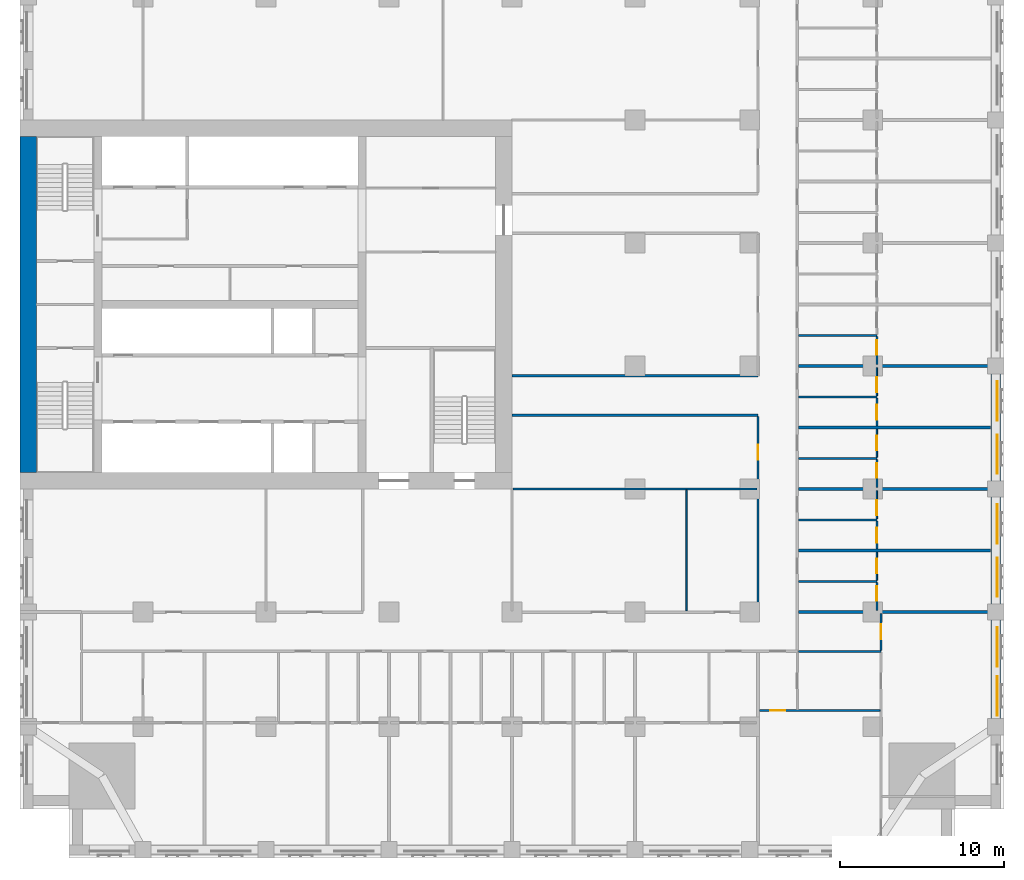
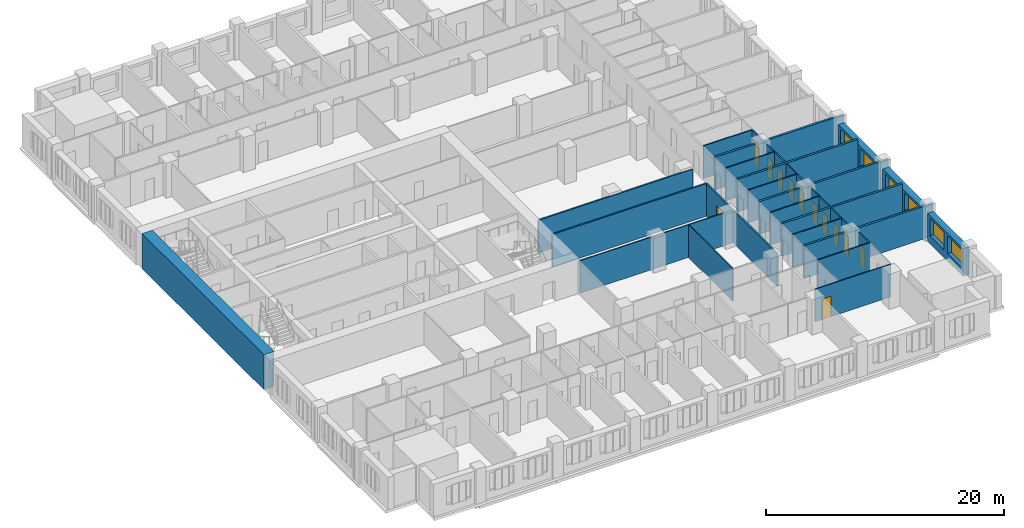
# One storey, part 7 of 15: 31 walls, 12 doors, 6 windows, 18 openings.
"""IFC4 building model written with IfcOpenShell, lengths in metres."""

from ifc_helpers import new_model, si_unit, direction, frame, frame_2d, origin, place, context, subcontext, project, spatial, rectangle, extrude, material, layer, layer_set, type_object, element, fill, save


model = new_model("IFC4")

# Units and contexts
model_context = context("Model", 3, precision=1e-05, world=origin(), true_north=direction((0.0, 1.0)))
body_context = subcontext(model_context, "Body", "Model", "MODEL_VIEW")
ifc_project = project(units=[si_unit("LENGTHUNIT", "METRE"), si_unit("AREAUNIT", "SQUARE_METRE"), si_unit("VOLUMEUNIT", "CUBIC_METRE"), si_unit("PLANEANGLEUNIT", "RADIAN"), si_unit("MASSUNIT", "GRAM", prefix="KILO")], contexts=[model_context])

# Site, building, storey
site_placement = place(None, origin())
site = spatial("IfcSite", under=ifc_project, at=site_placement, CompositionType="ELEMENT")
building_placement = place(site_placement, origin())
building = spatial("IfcBuilding", under=site, at=building_placement, Name="Tamorin Gate", CompositionType="ELEMENT")
storey_placement = place(building_placement, frame((0.0, 0.0, 48.39990234375)))
storey = spatial("IfcBuildingStorey", under=building, at=storey_placement, Name="L10", CompositionType="ELEMENT", Elevation=48.39990234375)

# Wall, openings, windows
ifc_material_1 = material(Name="Precast concrete C40/50", Category="concrete")
ifc_layer_1 = layer(ifc_material_1, 0.60009765625)
ifc_layer_set_1 = layer_set([ifc_layer_1], Name="Precast concrete C40/50")
wall_type_1 = type_object("IfcWallType", Name="Board-marked concrete facade panel 600", PredefinedType="SOLIDWALL", material=ifc_layer_set_1)
wall_1_placement = place(storey_placement, frame((89.5, 46.0, 0.0), z_axis=(0.0, 0.0, 1.0), x_axis=(0.0, 1.0, 0.0)))
wall_1 = element("IfcWall", 1, at=wall_1_placement, inside=storey, type_object=wall_type_1, Name="Facade panel", PredefinedType="SOLIDWALL", context=body_context, shape_type="SweptSolid", body=[
    extrude(rectangle(XDim=6.0, YDim=0.60009765625, at=frame_2d((3.0, 0.0))), origin(), (0.0, 0.0, 1.0), 2.85009765625),
])
opening_1_placement = place(wall_1_placement, frame((0.175048828125, 0.0, 0.800048828125)))
opening_1 = element("IfcOpeningElement", 2, at=opening_1_placement, cuts=wall_1, Name="Opening WN1", PredefinedType="OPENING", context=body_context, shape_type="SweptSolid", body=[
    extrude(rectangle(XDim=2.39990234375, YDim=1.800048828125, at=frame_2d((1.199951171875, 0.89990234375))), frame((0.0, 0.31005859375, 0.0), z_axis=(0.0, -1.0, 0.0), x_axis=(1.0, 0.0, 0.0)), (0.0, 0.0, 1.0), 0.6201171875),
])
opening_2_placement = place(wall_1_placement, frame((3.175048828125, 0.0, 0.800048828125)))
opening_2 = element("IfcOpeningElement", 3, at=opening_2_placement, cuts=wall_1, Name="Opening WN1", PredefinedType="OPENING", context=body_context, shape_type="SweptSolid", body=[
    extrude(rectangle(XDim=2.39990234375, YDim=1.800048828125, at=frame_2d((1.199951171875, 0.89990234375))), frame((0.0, 0.31005859375, 0.0), z_axis=(0.0, -1.0, 0.0), x_axis=(1.0, 0.0, 0.0)), (0.0, 0.0, 1.0), 0.6201171875),
])
ifc_material_2 = material(Name="Clear glass in aluminium frame", Category="aluminium")
window_type = type_object("IfcWindowType", Name="Deep-set window 2400x1800", PartitioningType="SINGLE_PANEL", PredefinedType="WINDOW", material=ifc_material_2)
window_1_placement = place(opening_1_placement, origin())
window_1 = element("IfcWindow", 4, at=window_1_placement, inside=storey, type_object=window_type, Name="Deep-set window", OverallHeight=1.800048828125, OverallWidth=2.39990234375, PartitioningType="SINGLE_PANEL", PredefinedType="WINDOW", context=body_context, shape_type="SweptSolid", body=[
    extrude(rectangle(XDim=2.39990234375, YDim=1.800048828125, at=frame_2d((1.199951171875, 0.89990234375))), frame((0.0, -0.070068359375, 0.0), z_axis=(0.0, -1.0, 0.0), x_axis=(1.0, 0.0, 0.0)), (0.0, 0.0, 1.0), 0.06005859375),
])
fill(opening_1, window_1)
window_2_placement = place(opening_2_placement, origin())
window_2 = element("IfcWindow", 5, at=window_2_placement, inside=storey, type_object=window_type, Name="Deep-set window", OverallHeight=1.800048828125, OverallWidth=2.39990234375, PartitioningType="SINGLE_PANEL", PredefinedType="WINDOW", context=body_context, shape_type="SweptSolid", body=[
    extrude(rectangle(XDim=2.39990234375, YDim=1.800048828125, at=frame_2d((1.199951171875, 0.89990234375))), frame((0.0, -0.070068359375, 0.0), z_axis=(0.0, -1.0, 0.0), x_axis=(1.0, 0.0, 0.0)), (0.0, 0.0, 1.0), 0.06005859375),
])
fill(opening_2, window_2)

wall_2_placement = place(storey_placement, frame((89.5, 53.0, 0.0), z_axis=(0.0, 0.0, 1.0), x_axis=(0.0, 1.0, 0.0)))
wall_2 = element("IfcWall", 6, at=wall_2_placement, inside=storey, type_object=wall_type_1, Name="Facade panel", PredefinedType="SOLIDWALL", context=body_context, shape_type="SweptSolid", body=[
    extrude(rectangle(XDim=6.5, YDim=0.60009765625, at=frame_2d((3.25, 0.0))), origin(), (0.0, 0.0, 1.0), 2.85009765625),
])
opening_3_placement = place(wall_2_placement, frame((0.425048828125, 0.0, 0.800048828125)))
opening_3 = element("IfcOpeningElement", 7, at=opening_3_placement, cuts=wall_2, Name="Opening WN1", PredefinedType="OPENING", context=body_context, shape_type="SweptSolid", body=[
    extrude(rectangle(XDim=2.39990234375, YDim=1.800048828125, at=frame_2d((1.199951171875, 0.89990234375))), frame((0.0, 0.31005859375, 0.0), z_axis=(0.0, -1.0, 0.0), x_axis=(1.0, 0.0, 0.0)), (0.0, 0.0, 1.0), 0.6201171875),
])
opening_4_placement = place(wall_2_placement, frame((3.675048828125, 0.0, 0.800048828125)))
opening_4 = element("IfcOpeningElement", 8, at=opening_4_placement, cuts=wall_2, Name="Opening WN1", PredefinedType="OPENING", context=body_context, shape_type="SweptSolid", body=[
    extrude(rectangle(XDim=2.39990234375, YDim=1.800048828125, at=frame_2d((1.199951171875, 0.89990234375))), frame((0.0, 0.31005859375, 0.0), z_axis=(0.0, -1.0, 0.0), x_axis=(1.0, 0.0, 0.0)), (0.0, 0.0, 1.0), 0.6201171875),
])
window_3_placement = place(opening_3_placement, origin())
window_3 = element("IfcWindow", 9, at=window_3_placement, inside=storey, type_object=window_type, Name="Deep-set window", OverallHeight=1.800048828125, OverallWidth=2.39990234375, PartitioningType="SINGLE_PANEL", PredefinedType="WINDOW", context=body_context, shape_type="SweptSolid", body=[
    extrude(rectangle(XDim=2.39990234375, YDim=1.800048828125, at=frame_2d((1.199951171875, 0.89990234375))), frame((0.0, -0.070068359375, 0.0), z_axis=(0.0, -1.0, 0.0), x_axis=(1.0, 0.0, 0.0)), (0.0, 0.0, 1.0), 0.06005859375),
])
fill(opening_3, window_3)
window_4_placement = place(opening_4_placement, origin())
window_4 = element("IfcWindow", 10, at=window_4_placement, inside=storey, type_object=window_type, Name="Deep-set window", OverallHeight=1.800048828125, OverallWidth=2.39990234375, PartitioningType="SINGLE_PANEL", PredefinedType="WINDOW", context=body_context, shape_type="SweptSolid", body=[
    extrude(rectangle(XDim=2.39990234375, YDim=1.800048828125, at=frame_2d((1.199951171875, 0.89990234375))), frame((0.0, -0.070068359375, 0.0), z_axis=(0.0, -1.0, 0.0), x_axis=(1.0, 0.0, 0.0)), (0.0, 0.0, 1.0), 0.06005859375),
])
fill(opening_4, window_4)

wall_3_placement = place(storey_placement, frame((89.5, 60.5, 0.0), z_axis=(0.0, 0.0, 1.0), x_axis=(0.0, 1.0, 0.0)))
wall_3 = element("IfcWall", 11, at=wall_3_placement, inside=storey, type_object=wall_type_1, Name="Facade panel", PredefinedType="SOLIDWALL", context=body_context, shape_type="SweptSolid", body=[
    extrude(rectangle(XDim=6.5, YDim=0.60009765625, at=frame_2d((3.25, 0.0))), origin(), (0.0, 0.0, 1.0), 2.85009765625),
])
opening_5_placement = place(wall_3_placement, frame((0.425048828125, 0.0, 0.800048828125)))
opening_5 = element("IfcOpeningElement", 12, at=opening_5_placement, cuts=wall_3, Name="Opening WN1", PredefinedType="OPENING", context=body_context, shape_type="SweptSolid", body=[
    extrude(rectangle(XDim=2.39990234375, YDim=1.800048828125, at=frame_2d((1.199951171875, 0.89990234375))), frame((0.0, 0.31005859375, 0.0), z_axis=(0.0, -1.0, 0.0), x_axis=(1.0, 0.0, 0.0)), (0.0, 0.0, 1.0), 0.6201171875),
])
opening_6_placement = place(wall_3_placement, frame((3.675048828125, 0.0, 0.800048828125)))
opening_6 = element("IfcOpeningElement", 13, at=opening_6_placement, cuts=wall_3, Name="Opening WN1", PredefinedType="OPENING", context=body_context, shape_type="SweptSolid", body=[
    extrude(rectangle(XDim=2.39990234375, YDim=1.800048828125, at=frame_2d((1.199951171875, 0.89990234375))), frame((0.0, 0.31005859375, 0.0), z_axis=(0.0, -1.0, 0.0), x_axis=(1.0, 0.0, 0.0)), (0.0, 0.0, 1.0), 0.6201171875),
])
window_5_placement = place(opening_5_placement, origin())
window_5 = element("IfcWindow", 14, at=window_5_placement, inside=storey, type_object=window_type, Name="Deep-set window", OverallHeight=1.800048828125, OverallWidth=2.39990234375, PartitioningType="SINGLE_PANEL", PredefinedType="WINDOW", context=body_context, shape_type="SweptSolid", body=[
    extrude(rectangle(XDim=2.39990234375, YDim=1.800048828125, at=frame_2d((1.199951171875, 0.89990234375))), frame((0.0, -0.070068359375, 0.0), z_axis=(0.0, -1.0, 0.0), x_axis=(1.0, 0.0, 0.0)), (0.0, 0.0, 1.0), 0.06005859375),
])
fill(opening_5, window_5)
window_6_placement = place(opening_6_placement, origin())
window_6 = element("IfcWindow", 15, at=window_6_placement, inside=storey, type_object=window_type, Name="Deep-set window", OverallHeight=1.800048828125, OverallWidth=2.39990234375, PartitioningType="SINGLE_PANEL", PredefinedType="WINDOW", context=body_context, shape_type="SweptSolid", body=[
    extrude(rectangle(XDim=2.39990234375, YDim=1.800048828125, at=frame_2d((1.199951171875, 0.89990234375))), frame((0.0, -0.070068359375, 0.0), z_axis=(0.0, -1.0, 0.0), x_axis=(1.0, 0.0, 0.0)), (0.0, 0.0, 1.0), 0.06005859375),
])
fill(opening_6, window_6)

# Wall, opening, door
ifc_material_3 = material(Name="Gypsum board partition")
ifc_layer_2 = layer(ifc_material_3, 0.14990234375)
ifc_layer_set_2 = layer_set([ifc_layer_2], Name="Corridor wall 150")
wall_type_2 = type_object("IfcWallType", Name="Corridor wall 150", PredefinedType="PARTITIONING", material=ifc_layer_set_2)
wall_4_placement = place(storey_placement, frame((75.0, 52.574951171875, 0.0), z_axis=(0.0, 0.0, 1.0), x_axis=(0.0, 1.0, 0.0)))
wall_4 = element("IfcWall", 16, at=wall_4_placement, inside=storey, type_object=wall_type_2, Name="Corridor wall 150", PredefinedType="PARTITIONING", context=body_context, shape_type="SweptSolid", body=[
    extrude(rectangle(XDim=11.85009765625, YDim=0.14990234375, at=frame_2d((5.925048828125, 0.0))), origin(), (0.0, 0.0, 1.0), 3.35009765625),
])
opening_7_placement = place(wall_4_placement, frame((9.22509765625, 0.0, 0.0)))
opening_7 = element("IfcOpeningElement", 17, at=opening_7_placement, cuts=wall_4, Name="Opening DH1100", PredefinedType="OPENING", context=body_context, shape_type="SweptSolid", body=[
    extrude(rectangle(XDim=0.89990234375, YDim=2.10009765625, at=frame_2d((0.449951171875, 1.050048828125))), frame((0.0, 0.0849609375, 0.0), z_axis=(0.0, -1.0, 0.0), x_axis=(1.0, 0.0, 0.0)), (0.0, 0.0, 1.0), 0.169921875),
])
ifc_material_4 = material(Name="Timber door leaf", Category="wood")
door_type_1 = type_object("IfcDoorType", Name="Door 900 x 2100 FD30S", OperationType="NOTDEFINED", PredefinedType="DOOR", material=ifc_material_4)
door_1_placement = place(opening_7_placement, origin())
door_1 = element("IfcDoor", 18, at=door_1_placement, inside=storey, type_object=door_type_1, Name="Door DH1100", OperationType="SINGLE_SWING_LEFT", OverallHeight=2.10009765625, OverallWidth=0.89990234375, PredefinedType="DOOR", context=body_context, shape_type="SweptSolid", body=[
    extrude(rectangle(XDim=0.89990234375, YDim=2.10009765625, at=frame_2d((0.449951171875, 1.050048828125))), frame((0.0, 0.02490234375, 0.0), z_axis=(0.0, -1.0, 0.0), x_axis=(1.0, 0.0, 0.0)), (0.0, 0.0, 1.0), 0.050048828125),
])
fill(opening_7, door_1)

# Walls
ifc_layer_3 = layer(ifc_material_3, 0.199951171875)
ifc_layer_set_3 = layer_set([ifc_layer_3], Name="Demising wall 200")
wall_type_3 = type_object("IfcWallType", Name="Demising wall 200", PredefinedType="PARTITIONING", material=ifc_layer_set_3)
wall_5_placement = place(storey_placement, frame((77.47509765625, 52.5, 0.0), z_axis=(0.0, 0.0, 1.0), x_axis=(1.0, 0.0, 0.0)))
element("IfcWall", 19, at=wall_5_placement, inside=storey, type_object=wall_type_3, Name="Demising wall 200", PredefinedType="PARTITIONING", context=body_context, shape_type="SweptSolid", body=[
    extrude(rectangle(XDim=12.52490234375, YDim=0.199951171875, at=frame_2d((6.262451171875, 0.0))), origin(), (0.0, 0.0, 1.0), 3.35009765625),
])
wall_6_placement = place(storey_placement, frame((77.47509765625, 56.25, 0.0), z_axis=(0.0, 0.0, 1.0), x_axis=(1.0, 0.0, 0.0)))
element("IfcWall", 20, at=wall_6_placement, inside=storey, type_object=wall_type_3, Name="Demising wall 200", PredefinedType="PARTITIONING", context=body_context, shape_type="SweptSolid", body=[
    extrude(rectangle(XDim=11.71484375, YDim=0.199951171875, at=frame_2d((5.857421875, 0.0))), origin(), (0.0, 0.0, 1.0), 3.35009765625),
])
wall_7_placement = place(storey_placement, frame((77.47509765625, 60.0, 0.0), z_axis=(0.0, 0.0, 1.0), x_axis=(1.0, 0.0, 0.0)))
element("IfcWall", 21, at=wall_7_placement, inside=storey, type_object=wall_type_3, Name="Demising wall 200", PredefinedType="PARTITIONING", context=body_context, shape_type="SweptSolid", body=[
    extrude(rectangle(XDim=12.52490234375, YDim=0.199951171875, at=frame_2d((6.262451171875, 0.0))), origin(), (0.0, 0.0, 1.0), 3.35009765625),
])
wall_8_placement = place(storey_placement, frame((77.47509765625, 63.75, 0.0), z_axis=(0.0, 0.0, 1.0), x_axis=(1.0, 0.0, 0.0)))
element("IfcWall", 22, at=wall_8_placement, inside=storey, type_object=wall_type_3, Name="Demising wall 200", PredefinedType="PARTITIONING", context=body_context, shape_type="SweptSolid", body=[
    extrude(rectangle(XDim=11.71484375, YDim=0.199951171875, at=frame_2d((5.857421875, 0.0))), origin(), (0.0, 0.0, 1.0), 3.35009765625),
])
wall_9_placement = place(storey_placement, frame((77.47509765625, 67.5, 0.0), z_axis=(0.0, 0.0, 1.0), x_axis=(1.0, 0.0, 0.0)))
element("IfcWall", 23, at=wall_9_placement, inside=storey, type_object=wall_type_3, Name="Demising wall 200", PredefinedType="PARTITIONING", context=body_context, shape_type="SweptSolid", body=[
    extrude(rectangle(XDim=12.52490234375, YDim=0.199951171875, at=frame_2d((6.262451171875, 0.0))), origin(), (0.0, 0.0, 1.0), 3.35009765625),
])
ifc_layer_4 = layer(ifc_material_3, 0.14990234375)
ifc_layer_set_4 = layer_set([ifc_layer_4], Name="Lobby wall 150")
wall_type_4 = type_object("IfcWallType", Name="Lobby wall 150", PredefinedType="PARTITIONING", material=ifc_layer_set_4)
for number, where, z_axis, x_axis, name in (
    (24, (60.0, 64.5, 0.0), (0.0, 0.0, 1.0), (1.0, 0.0, 0.0), "Lobby wall 150"),
    (25, (60.0, 66.89990234375, 0.0), (0.0, 0.0, 1.0), (1.0, 0.0, 0.0), "Lobby wall 150"),
):
    element("IfcWall", number, at=place(storey_placement, frame(where, z_axis=z_axis, x_axis=x_axis)), inside=storey, type_object=wall_type_4, Name=name, PredefinedType="PARTITIONING", context=body_context, shape_type="SweptSolid", body=[
        extrude(rectangle(XDim=15.0, YDim=0.14990234375, at=frame_2d((7.5, 0.0))), origin(), (0.0, 0.0, 1.0), 3.35009765625),
    ])
ifc_material_5 = material(Name="Concrete C80/95", Category="concrete")
ifc_layer_5 = layer(ifc_material_5, 1.0)
ifc_layer_set_5 = layer_set([ifc_layer_5], Name="RC core wall 1000 C80/95")
wall_type_5 = type_object("IfcWallType", Name="RC core wall 1000 C80/95", PredefinedType="SHEAR", material=ifc_layer_set_5)
wall_10_placement = place(storey_placement, frame((30.5, 61.0, 0.0), z_axis=(0.0, 0.0, 1.0), x_axis=(0.0, 1.0, 0.0)))
element("IfcWall", 26, at=wall_10_placement, inside=storey, type_object=wall_type_5, Name="Core wall L10", PredefinedType="SHEAR", context=body_context, shape_type="SweptSolid", body=[
    extrude(rectangle(XDim=20.5, YDim=1.0, at=frame_2d((10.25, 0.0))), origin(), (0.0, 0.0, 1.0), 3.60009765625),
])

# Wall, opening, door
ifc_layer_6 = layer(ifc_material_3, 0.10009765625)
ifc_layer_set_6 = layer_set([ifc_layer_6], Name="Room partition 100")
wall_type_6 = type_object("IfcWallType", Name="Room partition 100", PredefinedType="PARTITIONING", material=ifc_layer_set_6)
wall_11_placement = place(storey_placement, frame((75.10009765625, 46.5, 0.0), z_axis=(0.0, 0.0, 1.0), x_axis=(1.0, 0.0, 0.0)))
wall_11 = element("IfcWall", 27, at=wall_11_placement, inside=storey, type_object=wall_type_6, Name="Room partition 100", PredefinedType="PARTITIONING", context=body_context, shape_type="SweptSolid", body=[
    extrude(rectangle(XDim=7.349853515625, YDim=0.10009765625, at=frame_2d((3.6748046875, 0.0))), origin(), (0.0, 0.0, 1.0), 3.35009765625),
])
opening_8_placement = place(wall_11_placement, frame((0.64990234375, 0.0, 0.0)))
opening_8 = element("IfcOpeningElement", 28, at=opening_8_placement, cuts=wall_11, Name="Opening DH1082", PredefinedType="OPENING", context=body_context, shape_type="SweptSolid", body=[
    extrude(rectangle(XDim=0.89990234375, YDim=2.10009765625, at=frame_2d((0.449951171875, 1.050048828125))), frame((0.0, 0.06005859375, 0.0), z_axis=(0.0, -1.0, 0.0), x_axis=(1.0, 0.0, 0.0)), (0.0, 0.0, 1.0), 0.1201171875),
])
door_type_2 = type_object("IfcDoorType", Name="Door 900 x 2100", OperationType="NOTDEFINED", PredefinedType="DOOR", material=ifc_material_4)
door_2_placement = place(opening_8_placement, origin())
door_2 = element("IfcDoor", 29, at=door_2_placement, inside=storey, type_object=door_type_2, Name="Door DH1082", OperationType="SINGLE_SWING_RIGHT", OverallHeight=2.10009765625, OverallWidth=0.89990234375, PredefinedType="DOOR", context=body_context, shape_type="SweptSolid", body=[
    extrude(rectangle(XDim=0.89990234375, YDim=2.10009765625, at=frame_2d((0.449951171875, 1.050048828125))), frame((0.0, 0.02490234375, 0.0), z_axis=(0.0, -1.0, 0.0), x_axis=(1.0, 0.0, 0.0)), (0.0, 0.0, 1.0), 0.050048828125),
])
fill(opening_8, door_2)

# Walls
wall_12_placement = place(storey_placement, frame((60.074951171875, 60.0, 0.0), z_axis=(0.0, 0.0, 1.0), x_axis=(1.0, 0.0, 0.0)))
element("IfcWall", 30, at=wall_12_placement, inside=storey, type_object=wall_type_6, Name="Room partition 100", PredefinedType="PARTITIONING", context=body_context, shape_type="SweptSolid", body=[
    extrude(rectangle(XDim=14.85009765625, YDim=0.10009765625, at=frame_2d((7.425048828125, 0.0))), origin(), (0.0, 0.0, 1.0), 3.35009765625),
])
wall_13_placement = place(storey_placement, frame((70.64990234375, 52.574951171875, 0.0), z_axis=(0.0, 0.0, 1.0), x_axis=(0.0, 1.0, 0.0)))
element("IfcWall", 31, at=wall_13_placement, inside=storey, type_object=wall_type_6, Name="Room partition 100", PredefinedType="PARTITIONING", context=body_context, shape_type="SweptSolid", body=[
    extrude(rectangle(XDim=7.375, YDim=0.10009765625, at=frame_2d((3.6875, 0.0))), origin(), (0.0, 0.0, 1.0), 3.35009765625),
])

# Wall, opening, door
wall_14_placement = place(storey_placement, frame((82.25, 54.4375, 0.0), z_axis=(0.0, 0.0, 1.0), x_axis=(0.0, 1.0, 0.0)))
wall_14 = element("IfcWall", 32, at=wall_14_placement, inside=storey, type_object=wall_type_6, Name="Room partition 100", PredefinedType="PARTITIONING", context=body_context, shape_type="SweptSolid", body=[
    extrude(rectangle(XDim=1.71240234375, YDim=0.10009765625, at=frame_2d((0.856201171875, 0.0))), origin(), (0.0, 0.0, 1.0), 3.35009765625),
])
opening_9_placement = place(wall_14_placement, frame((0.425048828125, 0.0, 0.0)))
opening_9 = element("IfcOpeningElement", 33, at=opening_9_placement, cuts=wall_14, Name="Opening DH1053", PredefinedType="OPENING", context=body_context, shape_type="SweptSolid", body=[
    extrude(rectangle(XDim=0.89990234375, YDim=2.10009765625, at=frame_2d((0.449951171875, 1.050048828125))), frame((0.0, 0.06005859375, 0.0), z_axis=(0.0, -1.0, 0.0), x_axis=(1.0, 0.0, 0.0)), (0.0, 0.0, 1.0), 0.1201171875),
])
door_3_placement = place(opening_9_placement, origin())
door_3 = element("IfcDoor", 34, at=door_3_placement, inside=storey, type_object=door_type_2, Name="Door DH1053", OperationType="SINGLE_SWING_LEFT", OverallHeight=2.10009765625, OverallWidth=0.89990234375, PredefinedType="DOOR", context=body_context, shape_type="SweptSolid", body=[
    extrude(rectangle(XDim=0.89990234375, YDim=2.10009765625, at=frame_2d((0.449951171875, 1.050048828125))), frame((0.0, 0.02490234375, 0.0), z_axis=(0.0, -1.0, 0.0), x_axis=(1.0, 0.0, 0.0)), (0.0, 0.0, 1.0), 0.050048828125),
])
fill(opening_9, door_3)

wall_15_placement = place(storey_placement, frame((82.25, 58.1875, 0.0), z_axis=(0.0, 0.0, 1.0), x_axis=(0.0, 1.0, 0.0)))
wall_15 = element("IfcWall", 35, at=wall_15_placement, inside=storey, type_object=wall_type_6, Name="Room partition 100", PredefinedType="PARTITIONING", context=body_context, shape_type="SweptSolid", body=[
    extrude(rectangle(XDim=1.71240234375, YDim=0.10009765625, at=frame_2d((0.856201171875, 0.0))), origin(), (0.0, 0.0, 1.0), 3.35009765625),
])
opening_10_placement = place(wall_15_placement, frame((0.22509765625, 0.0, 0.0)))
opening_10 = element("IfcOpeningElement", 36, at=opening_10_placement, cuts=wall_15, Name="Opening DH1056", PredefinedType="OPENING", context=body_context, shape_type="SweptSolid", body=[
    extrude(rectangle(XDim=0.89990234375, YDim=2.10009765625, at=frame_2d((0.449951171875, 1.050048828125))), frame((0.0, 0.06005859375, 0.0), z_axis=(0.0, -1.0, 0.0), x_axis=(1.0, 0.0, 0.0)), (0.0, 0.0, 1.0), 0.1201171875),
])
door_4_placement = place(opening_10_placement, origin())
door_4 = element("IfcDoor", 37, at=door_4_placement, inside=storey, type_object=door_type_2, Name="Door DH1056", OperationType="SINGLE_SWING_LEFT", OverallHeight=2.10009765625, OverallWidth=0.89990234375, PredefinedType="DOOR", context=body_context, shape_type="SweptSolid", body=[
    extrude(rectangle(XDim=0.89990234375, YDim=2.10009765625, at=frame_2d((0.449951171875, 1.050048828125))), frame((0.0, 0.02490234375, 0.0), z_axis=(0.0, -1.0, 0.0), x_axis=(1.0, 0.0, 0.0)), (0.0, 0.0, 1.0), 0.050048828125),
])
fill(opening_10, door_4)

wall_16_placement = place(storey_placement, frame((82.25, 61.9375, 0.0), z_axis=(0.0, 0.0, 1.0), x_axis=(0.0, 1.0, 0.0)))
wall_16 = element("IfcWall", 38, at=wall_16_placement, inside=storey, type_object=wall_type_6, Name="Room partition 100", PredefinedType="PARTITIONING", context=body_context, shape_type="SweptSolid", body=[
    extrude(rectangle(XDim=1.71240234375, YDim=0.10009765625, at=frame_2d((0.856201171875, 0.0))), origin(), (0.0, 0.0, 1.0), 3.35009765625),
])
opening_11_placement = place(wall_16_placement, frame((0.425048828125, 0.0, 0.0)))
opening_11 = element("IfcOpeningElement", 39, at=opening_11_placement, cuts=wall_16, Name="Opening DH1059", PredefinedType="OPENING", context=body_context, shape_type="SweptSolid", body=[
    extrude(rectangle(XDim=0.89990234375, YDim=2.10009765625, at=frame_2d((0.449951171875, 1.050048828125))), frame((0.0, 0.06005859375, 0.0), z_axis=(0.0, -1.0, 0.0), x_axis=(1.0, 0.0, 0.0)), (0.0, 0.0, 1.0), 0.1201171875),
])
door_5_placement = place(opening_11_placement, origin())
door_5 = element("IfcDoor", 40, at=door_5_placement, inside=storey, type_object=door_type_2, Name="Door DH1059", OperationType="SINGLE_SWING_LEFT", OverallHeight=2.10009765625, OverallWidth=0.89990234375, PredefinedType="DOOR", context=body_context, shape_type="SweptSolid", body=[
    extrude(rectangle(XDim=0.89990234375, YDim=2.10009765625, at=frame_2d((0.449951171875, 1.050048828125))), frame((0.0, 0.02490234375, 0.0), z_axis=(0.0, -1.0, 0.0), x_axis=(1.0, 0.0, 0.0)), (0.0, 0.0, 1.0), 0.050048828125),
])
fill(opening_11, door_5)

wall_17_placement = place(storey_placement, frame((82.25, 65.6875, 0.0), z_axis=(0.0, 0.0, 1.0), x_axis=(0.0, 1.0, 0.0)))
wall_17 = element("IfcWall", 41, at=wall_17_placement, inside=storey, type_object=wall_type_6, Name="Room partition 100", PredefinedType="PARTITIONING", context=body_context, shape_type="SweptSolid", body=[
    extrude(rectangle(XDim=1.71240234375, YDim=0.10009765625, at=frame_2d((0.856201171875, 0.0))), origin(), (0.0, 0.0, 1.0), 3.35009765625),
])
opening_12_placement = place(wall_17_placement, frame((0.22509765625, 0.0, 0.0)))
opening_12 = element("IfcOpeningElement", 42, at=opening_12_placement, cuts=wall_17, Name="Opening DH1062", PredefinedType="OPENING", context=body_context, shape_type="SweptSolid", body=[
    extrude(rectangle(XDim=0.89990234375, YDim=2.10009765625, at=frame_2d((0.449951171875, 1.050048828125))), frame((0.0, 0.06005859375, 0.0), z_axis=(0.0, -1.0, 0.0), x_axis=(1.0, 0.0, 0.0)), (0.0, 0.0, 1.0), 0.1201171875),
])
door_6_placement = place(opening_12_placement, origin())
door_6 = element("IfcDoor", 43, at=door_6_placement, inside=storey, type_object=door_type_2, Name="Door DH1062", OperationType="SINGLE_SWING_LEFT", OverallHeight=2.10009765625, OverallWidth=0.89990234375, PredefinedType="DOOR", context=body_context, shape_type="SweptSolid", body=[
    extrude(rectangle(XDim=0.89990234375, YDim=2.10009765625, at=frame_2d((0.449951171875, 1.050048828125))), frame((0.0, 0.02490234375, 0.0), z_axis=(0.0, -1.0, 0.0), x_axis=(1.0, 0.0, 0.0)), (0.0, 0.0, 1.0), 0.050048828125),
])
fill(opening_12, door_6)

# Walls
ifc_layer_7 = layer(ifc_material_3, 0.125)
ifc_layer_set_7 = layer_set([ifc_layer_7], Name="Wet wall 125")
wall_type_7 = type_object("IfcWallType", Name="Wet wall 125", PredefinedType="PARTITIONING", material=ifc_layer_set_7)
wall_18_placement = place(storey_placement, frame((77.47509765625, 50.10009765625, 0.0), z_axis=(0.0, 0.0, 1.0), x_axis=(1.0, 0.0, 0.0)))
element("IfcWall", 44, at=wall_18_placement, inside=storey, type_object=wall_type_7, Name="Wet wall 125", PredefinedType="PARTITIONING", context=body_context, shape_type="SweptSolid", body=[
    extrude(rectangle(XDim=5.02490234375, YDim=0.125, at=frame_2d((2.512451171875, 0.0))), origin(), (0.0, 0.0, 1.0), 3.35009765625),
])
for number, where, z_axis, x_axis, name in (
    (45, (77.47509765625, 54.375, 0.0), (0.0, 0.0, 1.0), (1.0, 0.0, 0.0), "Wet wall 125"),
    (46, (77.47509765625, 58.125, 0.0), (0.0, 0.0, 1.0), (1.0, 0.0, 0.0), "Wet wall 125"),
    (47, (77.47509765625, 61.875, 0.0), (0.0, 0.0, 1.0), (1.0, 0.0, 0.0), "Wet wall 125"),
    (48, (77.47509765625, 65.625, 0.0), (0.0, 0.0, 1.0), (1.0, 0.0, 0.0), "Wet wall 125"),
    (49, (77.47509765625, 69.375, 0.0), (0.0, 0.0, 1.0), (1.0, 0.0, 0.0), "Wet wall 125"),
):
    element("IfcWall", number, at=place(storey_placement, frame(where, z_axis=z_axis, x_axis=x_axis)), inside=storey, type_object=wall_type_7, Name=name, PredefinedType="PARTITIONING", context=body_context, shape_type="SweptSolid", body=[
        extrude(rectangle(XDim=4.77490234375, YDim=0.125, at=frame_2d((2.387451171875, 0.0))), origin(), (0.0, 0.0, 1.0), 3.35009765625),
    ])

# Wall, opening, door
wall_19_placement = place(storey_placement, frame((82.25, 52.60009765625, 0.0), z_axis=(0.0, 0.0, 1.0), x_axis=(0.0, 1.0, 0.0)))
wall_19 = element("IfcWall", 50, at=wall_19_placement, inside=storey, type_object=wall_type_7, Name="Wet wall 125", PredefinedType="PARTITIONING", context=body_context, shape_type="SweptSolid", body=[
    extrude(rectangle(XDim=1.71240234375, YDim=0.125, at=frame_2d((0.856201171875, 0.0))), origin(), (0.0, 0.0, 1.0), 3.35009765625),
])
opening_13_placement = place(wall_19_placement, frame((0.58740234375, 0.0, 0.0)))
opening_13 = element("IfcOpeningElement", 51, at=opening_13_placement, cuts=wall_19, Name="Opening DH1051", PredefinedType="OPENING", context=body_context, shape_type="SweptSolid", body=[
    extrude(rectangle(XDim=0.89990234375, YDim=2.10009765625, at=frame_2d((0.449951171875, 1.050048828125))), frame((0.0, 0.072509765625, 0.0), z_axis=(0.0, -1.0, 0.0), x_axis=(1.0, 0.0, 0.0)), (0.0, 0.0, 1.0), 0.14501953125),
])
door_7_placement = place(opening_13_placement, origin())
door_7 = element("IfcDoor", 52, at=door_7_placement, inside=storey, type_object=door_type_2, Name="Door DH1051", OperationType="SINGLE_SWING_RIGHT", OverallHeight=2.10009765625, OverallWidth=0.89990234375, PredefinedType="DOOR", context=body_context, shape_type="SweptSolid", body=[
    extrude(rectangle(XDim=0.89990234375, YDim=2.10009765625, at=frame_2d((0.449951171875, 1.050048828125))), frame((0.0, 0.02490234375, 0.0), z_axis=(0.0, -1.0, 0.0), x_axis=(1.0, 0.0, 0.0)), (0.0, 0.0, 1.0), 0.050048828125),
])
fill(opening_13, door_7)

wall_20_placement = place(storey_placement, frame((82.25, 56.35009765625, 0.0), z_axis=(0.0, 0.0, 1.0), x_axis=(0.0, 1.0, 0.0)))
wall_20 = element("IfcWall", 53, at=wall_20_placement, inside=storey, type_object=wall_type_7, Name="Wet wall 125", PredefinedType="PARTITIONING", context=body_context, shape_type="SweptSolid", body=[
    extrude(rectangle(XDim=1.71240234375, YDim=0.125, at=frame_2d((0.856201171875, 0.0))), origin(), (0.0, 0.0, 1.0), 3.35009765625),
])
opening_14_placement = place(wall_20_placement, frame((0.387451171875, 0.0, 0.0)))
opening_14 = element("IfcOpeningElement", 54, at=opening_14_placement, cuts=wall_20, Name="Opening DH1054", PredefinedType="OPENING", context=body_context, shape_type="SweptSolid", body=[
    extrude(rectangle(XDim=0.89990234375, YDim=2.10009765625, at=frame_2d((0.449951171875, 1.050048828125))), frame((0.0, 0.072509765625, 0.0), z_axis=(0.0, -1.0, 0.0), x_axis=(1.0, 0.0, 0.0)), (0.0, 0.0, 1.0), 0.14501953125),
])
door_8_placement = place(opening_14_placement, origin())
door_8 = element("IfcDoor", 55, at=door_8_placement, inside=storey, type_object=door_type_2, Name="Door DH1054", OperationType="SINGLE_SWING_LEFT", OverallHeight=2.10009765625, OverallWidth=0.89990234375, PredefinedType="DOOR", context=body_context, shape_type="SweptSolid", body=[
    extrude(rectangle(XDim=0.89990234375, YDim=2.10009765625, at=frame_2d((0.449951171875, 1.050048828125))), frame((0.0, 0.02490234375, 0.0), z_axis=(0.0, -1.0, 0.0), x_axis=(1.0, 0.0, 0.0)), (0.0, 0.0, 1.0), 0.050048828125),
])
fill(opening_14, door_8)

wall_21_placement = place(storey_placement, frame((82.25, 60.10009765625, 0.0), z_axis=(0.0, 0.0, 1.0), x_axis=(0.0, 1.0, 0.0)))
wall_21 = element("IfcWall", 56, at=wall_21_placement, inside=storey, type_object=wall_type_7, Name="Wet wall 125", PredefinedType="PARTITIONING", context=body_context, shape_type="SweptSolid", body=[
    extrude(rectangle(XDim=1.71240234375, YDim=0.125, at=frame_2d((0.856201171875, 0.0))), origin(), (0.0, 0.0, 1.0), 3.35009765625),
])
opening_15_placement = place(wall_21_placement, frame((0.58740234375, 0.0, 0.0)))
opening_15 = element("IfcOpeningElement", 57, at=opening_15_placement, cuts=wall_21, Name="Opening DH1057", PredefinedType="OPENING", context=body_context, shape_type="SweptSolid", body=[
    extrude(rectangle(XDim=0.89990234375, YDim=2.10009765625, at=frame_2d((0.449951171875, 1.050048828125))), frame((0.0, 0.072509765625, 0.0), z_axis=(0.0, -1.0, 0.0), x_axis=(1.0, 0.0, 0.0)), (0.0, 0.0, 1.0), 0.14501953125),
])
door_9_placement = place(opening_15_placement, origin())
door_9 = element("IfcDoor", 58, at=door_9_placement, inside=storey, type_object=door_type_2, Name="Door DH1057", OperationType="SINGLE_SWING_RIGHT", OverallHeight=2.10009765625, OverallWidth=0.89990234375, PredefinedType="DOOR", context=body_context, shape_type="SweptSolid", body=[
    extrude(rectangle(XDim=0.89990234375, YDim=2.10009765625, at=frame_2d((0.449951171875, 1.050048828125))), frame((0.0, 0.02490234375, 0.0), z_axis=(0.0, -1.0, 0.0), x_axis=(1.0, 0.0, 0.0)), (0.0, 0.0, 1.0), 0.050048828125),
])
fill(opening_15, door_9)

wall_22_placement = place(storey_placement, frame((82.25, 63.85009765625, 0.0), z_axis=(0.0, 0.0, 1.0), x_axis=(0.0, 1.0, 0.0)))
wall_22 = element("IfcWall", 59, at=wall_22_placement, inside=storey, type_object=wall_type_7, Name="Wet wall 125", PredefinedType="PARTITIONING", context=body_context, shape_type="SweptSolid", body=[
    extrude(rectangle(XDim=1.71240234375, YDim=0.125, at=frame_2d((0.856201171875, 0.0))), origin(), (0.0, 0.0, 1.0), 3.35009765625),
])
opening_16_placement = place(wall_22_placement, frame((0.387451171875, 0.0, 0.0)))
opening_16 = element("IfcOpeningElement", 60, at=opening_16_placement, cuts=wall_22, Name="Opening DH1060", PredefinedType="OPENING", context=body_context, shape_type="SweptSolid", body=[
    extrude(rectangle(XDim=0.89990234375, YDim=2.10009765625, at=frame_2d((0.449951171875, 1.050048828125))), frame((0.0, 0.072509765625, 0.0), z_axis=(0.0, -1.0, 0.0), x_axis=(1.0, 0.0, 0.0)), (0.0, 0.0, 1.0), 0.14501953125),
])
door_10_placement = place(opening_16_placement, origin())
door_10 = element("IfcDoor", 61, at=door_10_placement, inside=storey, type_object=door_type_2, Name="Door DH1060", OperationType="SINGLE_SWING_LEFT", OverallHeight=2.10009765625, OverallWidth=0.89990234375, PredefinedType="DOOR", context=body_context, shape_type="SweptSolid", body=[
    extrude(rectangle(XDim=0.89990234375, YDim=2.10009765625, at=frame_2d((0.449951171875, 1.050048828125))), frame((0.0, 0.02490234375, 0.0), z_axis=(0.0, -1.0, 0.0), x_axis=(1.0, 0.0, 0.0)), (0.0, 0.0, 1.0), 0.050048828125),
])
fill(opening_16, door_10)

wall_23_placement = place(storey_placement, frame((82.25, 67.60009765625, 0.0), z_axis=(0.0, 0.0, 1.0), x_axis=(0.0, 1.0, 0.0)))
wall_23 = element("IfcWall", 62, at=wall_23_placement, inside=storey, type_object=wall_type_7, Name="Wet wall 125", PredefinedType="PARTITIONING", context=body_context, shape_type="SweptSolid", body=[
    extrude(rectangle(XDim=1.71240234375, YDim=0.125, at=frame_2d((0.856201171875, 0.0))), origin(), (0.0, 0.0, 1.0), 3.35009765625),
])
opening_17_placement = place(wall_23_placement, frame((0.58740234375, 0.0, 0.0)))
opening_17 = element("IfcOpeningElement", 63, at=opening_17_placement, cuts=wall_23, Name="Opening DH1063", PredefinedType="OPENING", context=body_context, shape_type="SweptSolid", body=[
    extrude(rectangle(XDim=0.89990234375, YDim=2.10009765625, at=frame_2d((0.449951171875, 1.050048828125))), frame((0.0, 0.072509765625, 0.0), z_axis=(0.0, -1.0, 0.0), x_axis=(1.0, 0.0, 0.0)), (0.0, 0.0, 1.0), 0.14501953125),
])
door_11_placement = place(opening_17_placement, origin())
door_11 = element("IfcDoor", 64, at=door_11_placement, inside=storey, type_object=door_type_2, Name="Door DH1063", OperationType="SINGLE_SWING_RIGHT", OverallHeight=2.10009765625, OverallWidth=0.89990234375, PredefinedType="DOOR", context=body_context, shape_type="SweptSolid", body=[
    extrude(rectangle(XDim=0.89990234375, YDim=2.10009765625, at=frame_2d((0.449951171875, 1.050048828125))), frame((0.0, 0.02490234375, 0.0), z_axis=(0.0, -1.0, 0.0), x_axis=(1.0, 0.0, 0.0)), (0.0, 0.0, 1.0), 0.050048828125),
])
fill(opening_17, door_11)

wall_24_placement = place(storey_placement, frame((82.5, 50.16259765625, 0.0), z_axis=(0.0, 0.0, 1.0), x_axis=(0.0, 1.0, 0.0)))
wall_24 = element("IfcWall", 65, at=wall_24_placement, inside=storey, type_object=wall_type_7, Name="Wet wall 125", PredefinedType="PARTITIONING", context=body_context, shape_type="SweptSolid", body=[
    extrude(rectangle(XDim=2.2373046875, YDim=0.125, at=frame_2d((1.11865234375, 0.0))), origin(), (0.0, 0.0, 1.0), 3.35009765625),
])
opening_18_placement = place(wall_24_placement, frame((0.6875, 0.0, 0.0)))
opening_18 = element("IfcOpeningElement", 66, at=opening_18_placement, cuts=wall_24, Name="Opening DH1086", PredefinedType="OPENING", context=body_context, shape_type="SweptSolid", body=[
    extrude(rectangle(XDim=0.89990234375, YDim=2.10009765625, at=frame_2d((0.449951171875, 1.050048828125))), frame((0.0, 0.072509765625, 0.0), z_axis=(0.0, -1.0, 0.0), x_axis=(1.0, 0.0, 0.0)), (0.0, 0.0, 1.0), 0.14501953125),
])
door_12_placement = place(opening_18_placement, origin())
door_12 = element("IfcDoor", 67, at=door_12_placement, inside=storey, type_object=door_type_2, Name="Door DH1086", OperationType="SINGLE_SWING_LEFT", OverallHeight=2.10009765625, OverallWidth=0.89990234375, PredefinedType="DOOR", context=body_context, shape_type="SweptSolid", body=[
    extrude(rectangle(XDim=0.89990234375, YDim=2.10009765625, at=frame_2d((0.449951171875, 1.050048828125))), frame((0.0, 0.02490234375, 0.0), z_axis=(0.0, -1.0, 0.0), x_axis=(1.0, 0.0, 0.0)), (0.0, 0.0, 1.0), 0.050048828125),
])
fill(opening_18, door_12)

save(model, "model.ifc")
